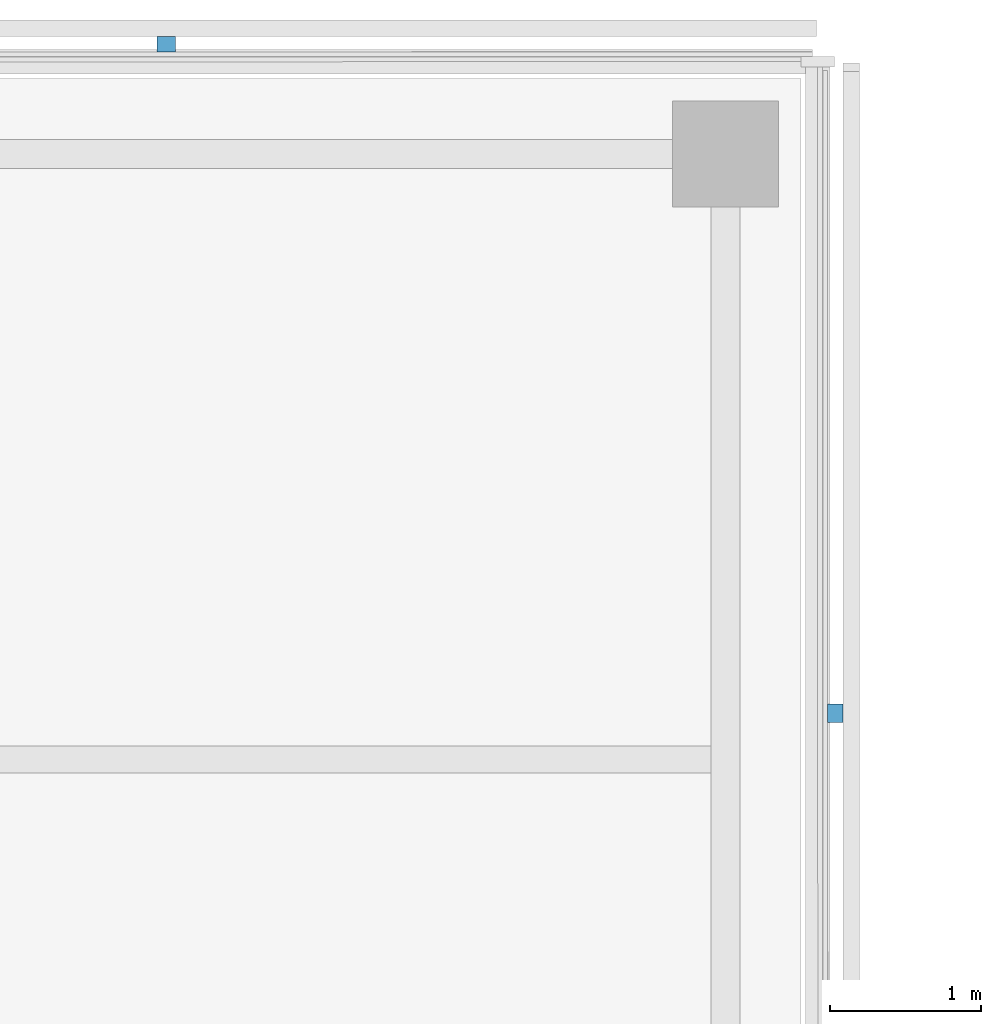
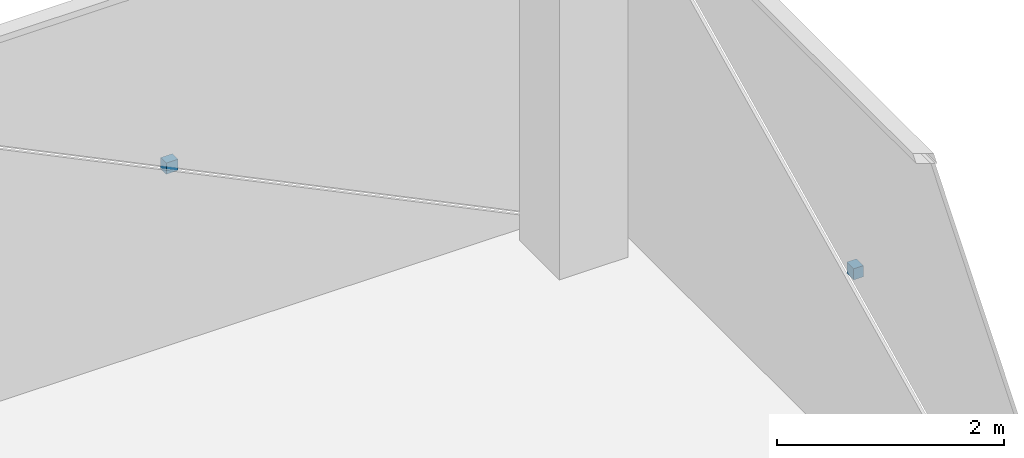
# One storey, part 20 of 22: 2 discrete accessories.
"""IFC4 building model written with IfcOpenShell, lengths in metres."""

from ifc_helpers import new_model, si_unit, direction, frame, origin, origin_2d, place, context, subcontext, project, spatial, rectangle, extrude, material, type_object, element, save


model = new_model("IFC4")

# Units and contexts
model_context = context("Model", 3, precision=1e-05, world=origin(), true_north=direction((0.0, 1.0)))
body_context = subcontext(model_context, "Body", "Model", "MODEL_VIEW")
ifc_project = project(units=[si_unit("LENGTHUNIT", "METRE"), si_unit("AREAUNIT", "SQUARE_METRE"), si_unit("VOLUMEUNIT", "CUBIC_METRE"), si_unit("PLANEANGLEUNIT", "RADIAN"), si_unit("MASSUNIT", "GRAM", prefix="KILO")], contexts=[model_context])

# Site, building, storey
site_placement = place(None, origin())
site = spatial("IfcSite", under=ifc_project, at=site_placement, CompositionType="ELEMENT")
building_placement = place(site_placement, origin())
building = spatial("IfcBuilding", under=site, at=building_placement, Name="Crosswind Convention Tower", CompositionType="ELEMENT")
storey_placement = place(building_placement, frame((0.0, 0.0, 154.699951171875)))
storey = spatial("IfcBuildingStorey", under=building, at=storey_placement, Name="L32", CompositionType="ELEMENT", Elevation=154.699951171875)

# Discrete accessories
ifc_material = material(Name="Stainless steel", Category="steel")
discrete_accessory_type = type_object("IfcDiscreteAccessoryType", Name="BAGUETTE BRACKET BK3", PredefinedType="BRACKET", material=ifc_material)
for number, where, z_axis, x_axis, name in (
    (1, (137.72607421875, 124.304931640625, 1.705078125), (0.0, 0.0, 1.0), (0.0, 1.0, 0.0), "BK3 baguette bracket"),
    (2, (133.304931640625, 128.72607421875, 1.705078125), (0.0, 0.0, 1.0), (-1.0, 0.0, 0.0), "BK3 baguette bracket"),
):
    element("IfcDiscreteAccessory", number, at=place(storey_placement, frame(where, z_axis=z_axis, x_axis=x_axis)), inside=storey, type_object=discrete_accessory_type, Name=name, PredefinedType="BRACKET", context=body_context, shape_type="SweptSolid", body=[
        extrude(rectangle(XDim=0.1201171875, YDim=0.10009765625, at=origin_2d()), origin(), (0.0, 0.0, 1.0), 0.1201171875),
    ])

save(model, "model.ifc")
